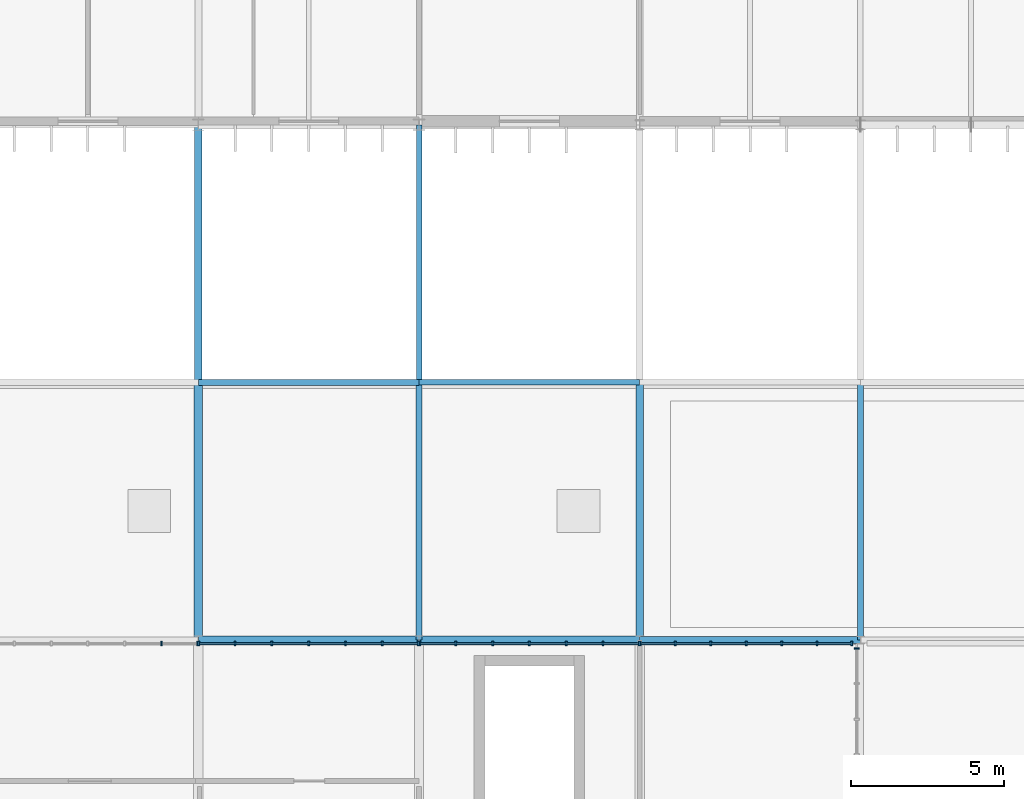
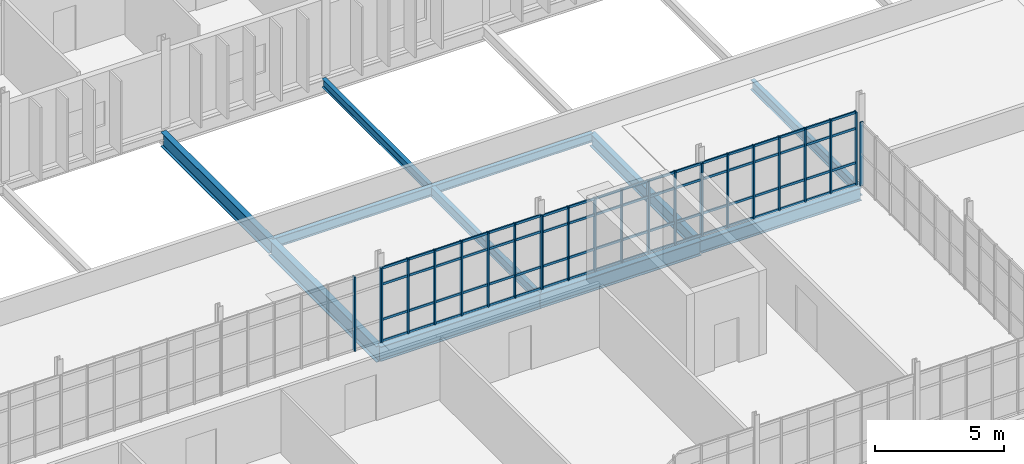
# One storey, part 60 of 119: 36 members, 11 beams, 5 elements without a shape of their own.
"""IFC4 building model written with IfcOpenShell, lengths in metres."""

from ifc_helpers import new_model, si_unit, direction, frame, origin, origin_2d, place, context, subcontext, project, spatial, rectangle, i_section, extrude, material, material_profile, profile_set, type_object, element, aggregate, save


model = new_model("IFC4")

# Units and contexts
model_context = context("Model", 3, precision=1e-05, world=origin(), true_north=direction((0.0, 1.0)))
body_context = subcontext(model_context, "Body", "Model", "MODEL_VIEW")
ifc_project = project(units=[si_unit("LENGTHUNIT", "METRE"), si_unit("AREAUNIT", "SQUARE_METRE"), si_unit("VOLUMEUNIT", "CUBIC_METRE"), si_unit("PLANEANGLEUNIT", "RADIAN"), si_unit("MASSUNIT", "GRAM", prefix="KILO")], contexts=[model_context])

# Site, building, storey
site_placement = place(None, origin())
site = spatial("IfcSite", under=ifc_project, at=site_placement, CompositionType="ELEMENT")
building_placement = place(site_placement, origin())
building = spatial("IfcBuilding", under=site, at=building_placement, Name="Qelthora Terrace Specialist Clinic", CompositionType="ELEMENT")
storey_placement = place(building_placement, frame((0.0, 0.0, 4.800048828125)))
storey = spatial("IfcBuildingStorey", under=building, at=storey_placement, Name="L01", CompositionType="ELEMENT", Elevation=4.800048828125)

# Beams
ifc_material_1 = material(Name="Steel S355", Category="steel")
ifc_material_profile_1 = material_profile(ifc_material_1, i_section(OverallWidth=0.179931640625, OverallDepth=0.4130859375, WebThickness=0.009765625, FlangeThickness=0.01611328125, FilletRadius=0.011962890625, at=origin_2d()), Name="W410X75")
ifc_profile_set_1 = profile_set([ifc_material_profile_1], Name="Steel S355")
beam_type_1 = type_object("IfcBeamType", Name="BM-W410X75", PredefinedType="BEAM", material=ifc_profile_set_1)
beam_1_placement = place(storey_placement, frame((136.800048828125, 25.199951171875, -0.45654296875), z_axis=(1.0, 0.0, 0.0), x_axis=(0.0, 1.0, 0.0)))
element("IfcBeam", 1, at=beam_1_placement, inside=storey, type_object=beam_type_1, Name="Girder BMX-L01-0191", PredefinedType="BEAM", context=body_context, shape_type="SweptSolid", body=[
    extrude(i_section(OverallWidth=0.179931640625, OverallDepth=0.4130859375, WebThickness=0.009765625, FlangeThickness=0.01611328125, FilletRadius=0.011962890625, at=origin_2d()), origin(), (0.0, 0.0, 1.0), 7.199951171875),
])
beam_2_placement = place(storey_placement, frame((136.800048828125, 25.199951171875, -0.45654296875), z_axis=(0.0, 1.0, 0.0), x_axis=(-1.0, 0.0, 0.0)))
element("IfcBeam", 2, at=beam_2_placement, inside=storey, type_object=beam_type_1, Name="Girder BMY-L01-0509", PredefinedType="BEAM", context=body_context, shape_type="SweptSolid", body=[
    extrude(i_section(OverallWidth=0.179931640625, OverallDepth=0.4130859375, WebThickness=0.009765625, FlangeThickness=0.01611328125, FilletRadius=0.011962890625, at=origin_2d()), origin(), (0.0, 0.0, 1.0), 8.400146484375),
])
ifc_material_profile_2 = material_profile(ifc_material_1, i_section(OverallWidth=0.19091796875, OverallDepth=0.4599609375, WebThickness=0.010009765625, FlangeThickness=0.01611328125, FilletRadius=0.012939453125, at=origin_2d()), Name="W460X82")
ifc_profile_set_2 = profile_set([ifc_material_profile_2], Name="Steel S355")
beam_type_2 = type_object("IfcBeamType", Name="BM-W460X82", PredefinedType="BEAM", material=ifc_profile_set_2)
beam_3_placement = place(storey_placement, frame((129.60009765625, 25.199951171875, -0.47998046875), z_axis=(1.0, 0.0, 0.0), x_axis=(0.0, 1.0, 0.0)))
element("IfcBeam", 3, at=beam_3_placement, inside=storey, type_object=beam_type_2, Name="Girder BMX-L01-0190", PredefinedType="BEAM", context=body_context, shape_type="SweptSolid", body=[
    extrude(i_section(OverallWidth=0.19091796875, OverallDepth=0.4599609375, WebThickness=0.010009765625, FlangeThickness=0.01611328125, FilletRadius=0.012939453125, at=origin_2d()), origin(), (0.0, 0.0, 1.0), 7.199951171875),
])
beam_4_placement = place(storey_placement, frame((136.800048828125, 16.800048828125, -0.47998046875), z_axis=(0.0, 1.0, 0.0), x_axis=(-1.0, 0.0, 0.0)))
element("IfcBeam", 4, at=beam_4_placement, inside=storey, type_object=beam_type_2, Name="Girder BMY-L01-0508", PredefinedType="BEAM", context=body_context, shape_type="SweptSolid", body=[
    extrude(i_section(OverallWidth=0.19091796875, OverallDepth=0.4599609375, WebThickness=0.010009765625, FlangeThickness=0.01611328125, FilletRadius=0.012939453125, at=origin_2d()), origin(), (0.0, 0.0, 1.0), 8.39990234375),
])
ifc_material_profile_3 = material_profile(ifc_material_1, i_section(OverallWidth=0.193115234375, OverallDepth=0.466064453125, WebThickness=0.011474609375, FlangeThickness=0.01904296875, FilletRadius=0.012939453125, at=origin_2d()), Name="W460X97")
ifc_profile_set_3 = profile_set([ifc_material_profile_3], Name="Steel S355")
beam_type_3 = type_object("IfcBeamType", Name="BM-W460X97", PredefinedType="BEAM", material=ifc_profile_set_3)
beam_5_placement = place(storey_placement, frame((151.199951171875, 16.800048828125, -0.483154296875), z_axis=(0.0, 1.0, 0.0), x_axis=(-1.0, 0.0, 0.0)))
element("IfcBeam", 5, at=beam_5_placement, inside=storey, type_object=beam_type_3, Name="Girder BMY-L01-0527", PredefinedType="BEAM", context=body_context, shape_type="SweptSolid", body=[
    extrude(i_section(OverallWidth=0.193115234375, OverallDepth=0.466064453125, WebThickness=0.011474609375, FlangeThickness=0.01904296875, FilletRadius=0.012939453125, at=origin_2d()), origin(), (0.0, 0.0, 1.0), 8.39990234375),
])
ifc_material_profile_4 = material_profile(ifc_material_1, i_section(OverallWidth=0.22998046875, OverallDepth=0.616943359375, WebThickness=0.01318359375, FlangeThickness=0.022216796875, FilletRadius=0.01611328125, at=origin_2d()), Name="W610X140")
ifc_profile_set_4 = profile_set([ifc_material_profile_4], Name="Steel S355")
beam_type_4 = type_object("IfcBeamType", Name="BM-W610X140", PredefinedType="BEAM", material=ifc_profile_set_4)
beam_6_placement = place(storey_placement, frame((144.0, 16.800048828125, -0.55859375), z_axis=(1.0, 0.0, 0.0), x_axis=(0.0, 1.0, 0.0)))
element("IfcBeam", 6, at=beam_6_placement, inside=storey, type_object=beam_type_4, Name="Girder BMX-L01-0171", PredefinedType="BEAM", context=body_context, shape_type="SweptSolid", body=[
    extrude(i_section(OverallWidth=0.22998046875, OverallDepth=0.616943359375, WebThickness=0.01318359375, FlangeThickness=0.022216796875, FilletRadius=0.01611328125, at=origin_2d()), origin(), (0.0, 0.0, 1.0), 7.199951171875),
])
beam_7_placement = place(storey_placement, frame((144.0, 16.800048828125, -0.55859375), z_axis=(0.0, 1.0, 0.0), x_axis=(-1.0, 0.0, 0.0)))
element("IfcBeam", 7, at=beam_7_placement, inside=storey, type_object=beam_type_4, Name="Girder BMY-L01-0514", PredefinedType="BEAM", context=body_context, shape_type="SweptSolid", body=[
    extrude(i_section(OverallWidth=0.22998046875, OverallDepth=0.616943359375, WebThickness=0.01318359375, FlangeThickness=0.022216796875, FilletRadius=0.01611328125, at=origin_2d()), origin(), (0.0, 0.0, 1.0), 8.39990234375),
])
ifc_material_profile_5 = material_profile(ifc_material_1, i_section(OverallWidth=0.25390625, OverallDepth=0.68798828125, WebThickness=0.01318359375, FlangeThickness=0.02099609375, FilletRadius=0.01806640625, at=origin_2d()), Name="W690X152")
ifc_profile_set_5 = profile_set([ifc_material_profile_5], Name="Steel S355")
beam_type_5 = type_object("IfcBeamType", Name="BM-W690X152", PredefinedType="BEAM", material=ifc_profile_set_5)
beam_8_placement = place(storey_placement, frame((136.800048828125, 16.800048828125, -0.593994140625), z_axis=(1.0, 0.0, 0.0), x_axis=(0.0, 1.0, 0.0)))
element("IfcBeam", 8, at=beam_8_placement, inside=storey, type_object=beam_type_5, Name="Girder BMX-L01-0170", PredefinedType="BEAM", context=body_context, shape_type="SweptSolid", body=[
    extrude(i_section(OverallWidth=0.25390625, OverallDepth=0.68798828125, WebThickness=0.01318359375, FlangeThickness=0.02099609375, FilletRadius=0.01806640625, at=origin_2d()), origin(), (0.0, 0.0, 1.0), 7.199951171875),
])
ifc_material_profile_6 = material_profile(ifc_material_1, i_section(OverallWidth=0.256103515625, OverallDepth=0.693115234375, WebThickness=0.014404296875, FlangeThickness=0.023681640625, FilletRadius=0.01806640625, at=origin_2d()), Name="W690X170")
ifc_profile_set_6 = profile_set([ifc_material_profile_6], Name="Steel S355")
beam_type_6 = type_object("IfcBeamType", Name="BM-W690X170", PredefinedType="BEAM", material=ifc_profile_set_6)
beam_9_placement = place(storey_placement, frame((129.60009765625, 16.800048828125, -0.596435546875), z_axis=(1.0, 0.0, 0.0), x_axis=(0.0, 1.0, 0.0)))
element("IfcBeam", 9, at=beam_9_placement, inside=storey, type_object=beam_type_6, Name="Girder BMX-L01-0169", PredefinedType="BEAM", context=body_context, shape_type="SweptSolid", body=[
    extrude(i_section(OverallWidth=0.256103515625, OverallDepth=0.693115234375, WebThickness=0.014404296875, FlangeThickness=0.023681640625, FilletRadius=0.01806640625, at=origin_2d()), origin(), (0.0, 0.0, 1.0), 7.199951171875),
])
beam_10_placement = place(storey_placement, frame((129.60009765625, 25.199951171875, -0.596435546875), z_axis=(0.0, 1.0, 0.0), x_axis=(-1.0, 0.0, 0.0)))
element("IfcBeam", 10, at=beam_10_placement, inside=storey, type_object=beam_type_6, Name="Girder BMY-L01-0503", PredefinedType="BEAM", context=body_context, shape_type="SweptSolid", body=[
    extrude(i_section(OverallWidth=0.256103515625, OverallDepth=0.693115234375, WebThickness=0.014404296875, FlangeThickness=0.023681640625, FilletRadius=0.01806640625, at=origin_2d()), origin(), (0.0, 0.0, 1.0), 8.400146484375),
])
ifc_material_profile_7 = material_profile(ifc_material_1, i_section(OverallWidth=0.26806640625, OverallDepth=0.77001953125, WebThickness=0.015625, FlangeThickness=0.025390625, FilletRadius=0.01904296875, at=origin_2d()), Name="W760X196")
ifc_profile_set_7 = profile_set([ifc_material_profile_7], Name="Steel S355")
beam_type_7 = type_object("IfcBeamType", Name="BM-W760X196", PredefinedType="BEAM", material=ifc_profile_set_7)
beam_11_placement = place(storey_placement, frame((129.60009765625, 16.800048828125, -0.635009765625), z_axis=(0.0, 1.0, 0.0), x_axis=(-1.0, 0.0, 0.0)))
element("IfcBeam", 11, at=beam_11_placement, inside=storey, type_object=beam_type_7, Name="Girder BMY-L01-0502", PredefinedType="BEAM", context=body_context, shape_type="SweptSolid", body=[
    extrude(i_section(OverallWidth=0.26806640625, OverallDepth=0.77001953125, WebThickness=0.015625, FlangeThickness=0.025390625, FilletRadius=0.01904296875, at=origin_2d()), origin(), (0.0, 0.0, 1.0), 8.39990234375),
])

# Curtain wall, members
ifc_material_2 = material(Name="Aluminium anodized bronze", Category="aluminium")
curtain_wall_type = type_object("IfcCurtainWallType", Name="CW-CONS-UP", PredefinedType="NOTDEFINED", material=ifc_material_2)
curtain_wall_1_placement = place(storey_placement, origin())
curtain_wall_1 = element("IfcCurtainWall", 12, at=curtain_wall_1_placement, inside=storey, type_object=curtain_wall_type, Name="Curtain wall CW-L01-242", PredefinedType="NOTDEFINED")
ifc_material_profile_8 = material_profile(ifc_material_2, rectangle(XDim=0.06005859375, YDim=0.14990234375, at=origin_2d()), Name="CWM60X150")
ifc_profile_set_8 = profile_set([ifc_material_profile_8], Name="Aluminium anodized bronze")
member_type_1 = type_object("IfcMemberType", Name="CWM-60X150", PredefinedType="MULLION", material=ifc_profile_set_8)
member_1_placement = place(storey_placement, frame((128.39990234375, 16.679931640625, 0.0), z_axis=(0.0, 0.0, 1.0), x_axis=(1.0, 0.0, 0.0)))
member_1 = element("IfcMember", 13, at=member_1_placement, type_object=member_type_1, Name="CW-L01-242 mullion 6", PredefinedType="MULLION", context=body_context, shape_type="SweptSolid", body=[
    extrude(rectangle(XDim=0.06005859375, YDim=0.14990234375, at=origin_2d()), origin(), (0.0, 0.0, 1.0), 3.529052734375),
])
member_2_placement = place(storey_placement, frame((129.580078125, 16.679931640625, 0.0), z_axis=(0.0, 0.0, 1.0), x_axis=(1.0, 0.0, 0.0)))
member_2 = element("IfcMember", 14, at=member_2_placement, type_object=member_type_1, Name="CW-L01-242 mullion 7", PredefinedType="MULLION", context=body_context, shape_type="SweptSolid", body=[
    extrude(rectangle(XDim=0.06005859375, YDim=0.14990234375, at=origin_2d()), origin(), (0.0, 0.0, 1.0), 3.529052734375),
])
aggregate(curtain_wall_1, [member_1, member_2])

curtain_wall_2_placement = place(storey_placement, origin())
curtain_wall_2 = element("IfcCurtainWall", 15, at=curtain_wall_2_placement, inside=storey, type_object=curtain_wall_type, Name="Curtain wall CW-L01-243", PredefinedType="NOTDEFINED")
member_3_placement = place(storey_placement, frame((129.6201171875, 16.679931640625, 0.0), z_axis=(0.0, 0.0, 1.0), x_axis=(1.0, 0.0, 0.0)))
member_3 = element("IfcMember", 16, at=member_3_placement, type_object=member_type_1, Name="CW-L01-243 mullion 1", PredefinedType="MULLION", context=body_context, shape_type="SweptSolid", body=[
    extrude(rectangle(XDim=0.06005859375, YDim=0.14990234375, at=origin_2d()), origin(), (0.0, 0.0, 1.0), 3.529052734375),
])
member_4_placement = place(storey_placement, frame((130.800048828125, 16.679931640625, 0.0), z_axis=(0.0, 0.0, 1.0), x_axis=(1.0, 0.0, 0.0)))
member_4 = element("IfcMember", 17, at=member_4_placement, type_object=member_type_1, Name="CW-L01-243 mullion 2", PredefinedType="MULLION", context=body_context, shape_type="SweptSolid", body=[
    extrude(rectangle(XDim=0.06005859375, YDim=0.14990234375, at=origin_2d()), origin(), (0.0, 0.0, 1.0), 3.529052734375),
])
member_5_placement = place(storey_placement, frame((132.0, 16.679931640625, 0.0), z_axis=(0.0, 0.0, 1.0), x_axis=(1.0, 0.0, 0.0)))
member_5 = element("IfcMember", 18, at=member_5_placement, type_object=member_type_1, Name="CW-L01-243 mullion 3", PredefinedType="MULLION", context=body_context, shape_type="SweptSolid", body=[
    extrude(rectangle(XDim=0.06005859375, YDim=0.14990234375, at=origin_2d()), origin(), (0.0, 0.0, 1.0), 3.529052734375),
])
member_6_placement = place(storey_placement, frame((133.199951171875, 16.679931640625, 0.0), z_axis=(0.0, 0.0, 1.0), x_axis=(1.0, 0.0, 0.0)))
member_6 = element("IfcMember", 19, at=member_6_placement, type_object=member_type_1, Name="CW-L01-243 mullion 4", PredefinedType="MULLION", context=body_context, shape_type="SweptSolid", body=[
    extrude(rectangle(XDim=0.06005859375, YDim=0.14990234375, at=origin_2d()), origin(), (0.0, 0.0, 1.0), 3.529052734375),
])
member_7_placement = place(storey_placement, frame((134.39990234375, 16.679931640625, 0.0), z_axis=(0.0, 0.0, 1.0), x_axis=(1.0, 0.0, 0.0)))
member_7 = element("IfcMember", 20, at=member_7_placement, type_object=member_type_1, Name="CW-L01-243 mullion 5", PredefinedType="MULLION", context=body_context, shape_type="SweptSolid", body=[
    extrude(rectangle(XDim=0.06005859375, YDim=0.14990234375, at=origin_2d()), origin(), (0.0, 0.0, 1.0), 3.529052734375),
])
member_8_placement = place(storey_placement, frame((135.60009765625, 16.679931640625, 0.0), z_axis=(0.0, 0.0, 1.0), x_axis=(1.0, 0.0, 0.0)))
member_8 = element("IfcMember", 21, at=member_8_placement, type_object=member_type_1, Name="CW-L01-243 mullion 6", PredefinedType="MULLION", context=body_context, shape_type="SweptSolid", body=[
    extrude(rectangle(XDim=0.06005859375, YDim=0.14990234375, at=origin_2d()), origin(), (0.0, 0.0, 1.0), 3.529052734375),
])
member_9_placement = place(storey_placement, frame((136.780029296875, 16.679931640625, 0.0), z_axis=(0.0, 0.0, 1.0), x_axis=(1.0, 0.0, 0.0)))
member_9 = element("IfcMember", 22, at=member_9_placement, type_object=member_type_1, Name="CW-L01-243 mullion 7", PredefinedType="MULLION", context=body_context, shape_type="SweptSolid", body=[
    extrude(rectangle(XDim=0.06005859375, YDim=0.14990234375, at=origin_2d()), origin(), (0.0, 0.0, 1.0), 3.529052734375),
])

curtain_wall_3_placement = place(storey_placement, origin())
curtain_wall_3 = element("IfcCurtainWall", 23, at=curtain_wall_3_placement, inside=storey, type_object=curtain_wall_type, Name="Curtain wall CW-L01-244", PredefinedType="NOTDEFINED")
member_10_placement = place(storey_placement, frame((136.820068359375, 16.679931640625, 0.0), z_axis=(0.0, 0.0, 1.0), x_axis=(1.0, 0.0, 0.0)))
member_10 = element("IfcMember", 24, at=member_10_placement, type_object=member_type_1, Name="CW-L01-244 mullion 1", PredefinedType="MULLION", context=body_context, shape_type="SweptSolid", body=[
    extrude(rectangle(XDim=0.06005859375, YDim=0.14990234375, at=origin_2d()), origin(), (0.0, 0.0, 1.0), 3.48193359375),
])
member_11_placement = place(storey_placement, frame((138.0, 16.679931640625, 0.0), z_axis=(0.0, 0.0, 1.0), x_axis=(1.0, 0.0, 0.0)))
member_11 = element("IfcMember", 25, at=member_11_placement, type_object=member_type_1, Name="CW-L01-244 mullion 2", PredefinedType="MULLION", context=body_context, shape_type="SweptSolid", body=[
    extrude(rectangle(XDim=0.06005859375, YDim=0.14990234375, at=origin_2d()), origin(), (0.0, 0.0, 1.0), 3.48193359375),
])
member_12_placement = place(storey_placement, frame((139.199951171875, 16.679931640625, 0.0), z_axis=(0.0, 0.0, 1.0), x_axis=(1.0, 0.0, 0.0)))
member_12 = element("IfcMember", 26, at=member_12_placement, type_object=member_type_1, Name="CW-L01-244 mullion 3", PredefinedType="MULLION", context=body_context, shape_type="SweptSolid", body=[
    extrude(rectangle(XDim=0.06005859375, YDim=0.14990234375, at=origin_2d()), origin(), (0.0, 0.0, 1.0), 3.48193359375),
])
member_13_placement = place(storey_placement, frame((140.39990234375, 16.679931640625, 0.0), z_axis=(0.0, 0.0, 1.0), x_axis=(1.0, 0.0, 0.0)))
member_13 = element("IfcMember", 27, at=member_13_placement, type_object=member_type_1, Name="CW-L01-244 mullion 4", PredefinedType="MULLION", context=body_context, shape_type="SweptSolid", body=[
    extrude(rectangle(XDim=0.06005859375, YDim=0.14990234375, at=origin_2d()), origin(), (0.0, 0.0, 1.0), 3.48193359375),
])
member_14_placement = place(storey_placement, frame((141.60009765625, 16.679931640625, 0.0), z_axis=(0.0, 0.0, 1.0), x_axis=(1.0, 0.0, 0.0)))
member_14 = element("IfcMember", 28, at=member_14_placement, type_object=member_type_1, Name="CW-L01-244 mullion 5", PredefinedType="MULLION", context=body_context, shape_type="SweptSolid", body=[
    extrude(rectangle(XDim=0.06005859375, YDim=0.14990234375, at=origin_2d()), origin(), (0.0, 0.0, 1.0), 3.48193359375),
])
member_15_placement = place(storey_placement, frame((142.800048828125, 16.679931640625, 0.0), z_axis=(0.0, 0.0, 1.0), x_axis=(1.0, 0.0, 0.0)))
member_15 = element("IfcMember", 29, at=member_15_placement, type_object=member_type_1, Name="CW-L01-244 mullion 6", PredefinedType="MULLION", context=body_context, shape_type="SweptSolid", body=[
    extrude(rectangle(XDim=0.06005859375, YDim=0.14990234375, at=origin_2d()), origin(), (0.0, 0.0, 1.0), 3.48193359375),
])
member_16_placement = place(storey_placement, frame((143.97998046875, 16.679931640625, 0.0), z_axis=(0.0, 0.0, 1.0), x_axis=(1.0, 0.0, 0.0)))
member_16 = element("IfcMember", 30, at=member_16_placement, type_object=member_type_1, Name="CW-L01-244 mullion 7", PredefinedType="MULLION", context=body_context, shape_type="SweptSolid", body=[
    extrude(rectangle(XDim=0.06005859375, YDim=0.14990234375, at=origin_2d()), origin(), (0.0, 0.0, 1.0), 3.48193359375),
])

curtain_wall_4_placement = place(storey_placement, origin())
curtain_wall_4 = element("IfcCurtainWall", 31, at=curtain_wall_4_placement, inside=storey, type_object=curtain_wall_type, Name="Curtain wall CW-L01-245", PredefinedType="NOTDEFINED")
member_17_placement = place(storey_placement, frame((144.02001953125, 16.679931640625, 0.0), z_axis=(0.0, 0.0, 1.0), x_axis=(1.0, 0.0, 0.0)))
member_17 = element("IfcMember", 32, at=member_17_placement, type_object=member_type_1, Name="CW-L01-245 mullion 1", PredefinedType="MULLION", context=body_context, shape_type="SweptSolid", body=[
    extrude(rectangle(XDim=0.06005859375, YDim=0.14990234375, at=origin_2d()), origin(), (0.0, 0.0, 1.0), 3.48193359375),
])
member_18_placement = place(storey_placement, frame((145.15673828125, 16.679931640625, 0.0), z_axis=(0.0, 0.0, 1.0), x_axis=(1.0, 0.0, 0.0)))
member_18 = element("IfcMember", 33, at=member_18_placement, type_object=member_type_1, Name="CW-L01-245 mullion 2", PredefinedType="MULLION", context=body_context, shape_type="SweptSolid", body=[
    extrude(rectangle(XDim=0.06005859375, YDim=0.14990234375, at=origin_2d()), origin(), (0.0, 0.0, 1.0), 3.48193359375),
])
member_19_placement = place(storey_placement, frame((146.313232421875, 16.679931640625, 0.0), z_axis=(0.0, 0.0, 1.0), x_axis=(1.0, 0.0, 0.0)))
member_19 = element("IfcMember", 34, at=member_19_placement, type_object=member_type_1, Name="CW-L01-245 mullion 3", PredefinedType="MULLION", context=body_context, shape_type="SweptSolid", body=[
    extrude(rectangle(XDim=0.06005859375, YDim=0.14990234375, at=origin_2d()), origin(), (0.0, 0.0, 1.0), 3.48193359375),
])
member_20_placement = place(storey_placement, frame((147.469970703125, 16.679931640625, 0.0), z_axis=(0.0, 0.0, 1.0), x_axis=(1.0, 0.0, 0.0)))
member_20 = element("IfcMember", 35, at=member_20_placement, type_object=member_type_1, Name="CW-L01-245 mullion 4", PredefinedType="MULLION", context=body_context, shape_type="SweptSolid", body=[
    extrude(rectangle(XDim=0.06005859375, YDim=0.14990234375, at=origin_2d()), origin(), (0.0, 0.0, 1.0), 3.48193359375),
])
member_21_placement = place(storey_placement, frame((148.626708984375, 16.679931640625, 0.0), z_axis=(0.0, 0.0, 1.0), x_axis=(1.0, 0.0, 0.0)))
member_21 = element("IfcMember", 36, at=member_21_placement, type_object=member_type_1, Name="CW-L01-245 mullion 5", PredefinedType="MULLION", context=body_context, shape_type="SweptSolid", body=[
    extrude(rectangle(XDim=0.06005859375, YDim=0.14990234375, at=origin_2d()), origin(), (0.0, 0.0, 1.0), 3.48193359375),
])
member_22_placement = place(storey_placement, frame((149.783447265625, 16.679931640625, 0.0), z_axis=(0.0, 0.0, 1.0), x_axis=(1.0, 0.0, 0.0)))
member_22 = element("IfcMember", 37, at=member_22_placement, type_object=member_type_1, Name="CW-L01-245 mullion 6", PredefinedType="MULLION", context=body_context, shape_type="SweptSolid", body=[
    extrude(rectangle(XDim=0.06005859375, YDim=0.14990234375, at=origin_2d()), origin(), (0.0, 0.0, 1.0), 3.48193359375),
])
member_23_placement = place(storey_placement, frame((150.919921875, 16.679931640625, 0.0), z_axis=(0.0, 0.0, 1.0), x_axis=(1.0, 0.0, 0.0)))
member_23 = element("IfcMember", 38, at=member_23_placement, type_object=member_type_1, Name="CW-L01-245 mullion 7", PredefinedType="MULLION", context=body_context, shape_type="SweptSolid", body=[
    extrude(rectangle(XDim=0.06005859375, YDim=0.14990234375, at=origin_2d()), origin(), (0.0, 0.0, 1.0), 3.48193359375),
])

# Curtain wall, member
curtain_wall_5_placement = place(storey_placement, origin())
curtain_wall_5 = element("IfcCurtainWall", 39, at=curtain_wall_5_placement, inside=storey, type_object=curtain_wall_type, Name="Curtain wall CW-L01-247", PredefinedType="NOTDEFINED")
member_24_placement = place(storey_placement, frame((151.080078125, 16.52001953125, 0.0), z_axis=(0.0, 0.0, 1.0), x_axis=(0.0, 1.0, 0.0)))
member_24 = element("IfcMember", 40, at=member_24_placement, type_object=member_type_1, Name="CW-L01-247 mullion 8", PredefinedType="MULLION", context=body_context, shape_type="SweptSolid", body=[
    extrude(rectangle(XDim=0.06005859375, YDim=0.14990234375, at=origin_2d()), origin(), (0.0, 0.0, 1.0), 3.014892578125),
])
aggregate(curtain_wall_5, [member_24])

# Member
ifc_material_profile_9 = material_profile(ifc_material_2, rectangle(XDim=0.06005859375, YDim=0.110107421875, at=origin_2d()), Name="CWT60X110")
ifc_profile_set_9 = profile_set([ifc_material_profile_9], Name="Aluminium anodized bronze")
member_type_2 = type_object("IfcMemberType", Name="CWT-60X110", PredefinedType="USERDEFINED", material=ifc_profile_set_9)
member_25_placement = place(storey_placement, frame((129.639892578125, 16.679931640625, 0.0400390625), z_axis=(1.0, 0.0, 0.0), x_axis=(0.0, 1.0, 0.0)))
member_25 = element("IfcMember", 41, at=member_25_placement, type_object=member_type_2, Name="CW-L01-243 transom 1", ObjectType="TRANSOM", PredefinedType="USERDEFINED", context=body_context, shape_type="SweptSolid", body=[
    extrude(rectangle(XDim=0.06005859375, YDim=0.110107421875, at=origin_2d()), origin(), (0.0, 0.0, 1.0), 7.1201171875),
])

member_26_placement = place(storey_placement, frame((129.639892578125, 16.679931640625, 1.050048828125), z_axis=(1.0, 0.0, 0.0), x_axis=(0.0, 1.0, 0.0)))
member_26 = element("IfcMember", 42, at=member_26_placement, type_object=member_type_2, Name="CW-L01-243 transom 2", ObjectType="TRANSOM", PredefinedType="USERDEFINED", context=body_context, shape_type="SweptSolid", body=[
    extrude(rectangle(XDim=0.06005859375, YDim=0.110107421875, at=origin_2d()), origin(), (0.0, 0.0, 1.0), 7.1201171875),
])

member_27_placement = place(storey_placement, frame((129.639892578125, 16.679931640625, 2.72900390625), z_axis=(1.0, 0.0, 0.0), x_axis=(0.0, 1.0, 0.0)))
member_27 = element("IfcMember", 43, at=member_27_placement, type_object=member_type_2, Name="CW-L01-243 transom 3", ObjectType="TRANSOM", PredefinedType="USERDEFINED", context=body_context, shape_type="SweptSolid", body=[
    extrude(rectangle(XDim=0.06005859375, YDim=0.110107421875, at=origin_2d()), origin(), (0.0, 0.0, 1.0), 7.1201171875),
])

member_28_placement = place(storey_placement, frame((129.639892578125, 16.679931640625, 3.489013671875), z_axis=(1.0, 0.0, 0.0), x_axis=(0.0, 1.0, 0.0)))
member_28 = element("IfcMember", 44, at=member_28_placement, type_object=member_type_2, Name="CW-L01-243 transom 4", ObjectType="TRANSOM", PredefinedType="USERDEFINED", context=body_context, shape_type="SweptSolid", body=[
    extrude(rectangle(XDim=0.06005859375, YDim=0.110107421875, at=origin_2d()), origin(), (0.0, 0.0, 1.0), 7.1201171875),
])

aggregate(curtain_wall_2, [member_3, member_4, member_5, member_6, member_7, member_8, member_9, member_25, member_26, member_27, member_28])

member_29_placement = place(storey_placement, frame((136.840087890625, 16.679931640625, 0.0400390625), z_axis=(1.0, 0.0, 0.0), x_axis=(0.0, 1.0, 0.0)))
member_29 = element("IfcMember", 45, at=member_29_placement, type_object=member_type_2, Name="CW-L01-244 transom 1", ObjectType="TRANSOM", PredefinedType="USERDEFINED", context=body_context, shape_type="SweptSolid", body=[
    extrude(rectangle(XDim=0.06005859375, YDim=0.110107421875, at=origin_2d()), origin(), (0.0, 0.0, 1.0), 7.119873046875),
])

member_30_placement = place(storey_placement, frame((136.840087890625, 16.679931640625, 1.050048828125), z_axis=(1.0, 0.0, 0.0), x_axis=(0.0, 1.0, 0.0)))
member_30 = element("IfcMember", 46, at=member_30_placement, type_object=member_type_2, Name="CW-L01-244 transom 2", ObjectType="TRANSOM", PredefinedType="USERDEFINED", context=body_context, shape_type="SweptSolid", body=[
    extrude(rectangle(XDim=0.06005859375, YDim=0.110107421875, at=origin_2d()), origin(), (0.0, 0.0, 1.0), 7.119873046875),
])

member_31_placement = place(storey_placement, frame((136.840087890625, 16.679931640625, 2.681884765625), z_axis=(1.0, 0.0, 0.0), x_axis=(0.0, 1.0, 0.0)))
member_31 = element("IfcMember", 47, at=member_31_placement, type_object=member_type_2, Name="CW-L01-244 transom 3", ObjectType="TRANSOM", PredefinedType="USERDEFINED", context=body_context, shape_type="SweptSolid", body=[
    extrude(rectangle(XDim=0.06005859375, YDim=0.110107421875, at=origin_2d()), origin(), (0.0, 0.0, 1.0), 7.119873046875),
])

member_32_placement = place(storey_placement, frame((136.840087890625, 16.679931640625, 3.44189453125), z_axis=(1.0, 0.0, 0.0), x_axis=(0.0, 1.0, 0.0)))
member_32 = element("IfcMember", 48, at=member_32_placement, type_object=member_type_2, Name="CW-L01-244 transom 4", ObjectType="TRANSOM", PredefinedType="USERDEFINED", context=body_context, shape_type="SweptSolid", body=[
    extrude(rectangle(XDim=0.06005859375, YDim=0.110107421875, at=origin_2d()), origin(), (0.0, 0.0, 1.0), 7.119873046875),
])

aggregate(curtain_wall_3, [member_10, member_11, member_12, member_13, member_14, member_15, member_16, member_29, member_30, member_31, member_32])

member_33_placement = place(storey_placement, frame((144.0400390625, 16.679931640625, 0.0400390625), z_axis=(1.0, 0.0, 0.0), x_axis=(0.0, 1.0, 0.0)))
member_33 = element("IfcMember", 49, at=member_33_placement, type_object=member_type_2, Name="CW-L01-245 transom 1", ObjectType="TRANSOM", PredefinedType="USERDEFINED", context=body_context, shape_type="SweptSolid", body=[
    extrude(rectangle(XDim=0.06005859375, YDim=0.110107421875, at=origin_2d()), origin(), (0.0, 0.0, 1.0), 6.85986328125),
])

member_34_placement = place(storey_placement, frame((144.0400390625, 16.679931640625, 1.050048828125), z_axis=(1.0, 0.0, 0.0), x_axis=(0.0, 1.0, 0.0)))
member_34 = element("IfcMember", 50, at=member_34_placement, type_object=member_type_2, Name="CW-L01-245 transom 2", ObjectType="TRANSOM", PredefinedType="USERDEFINED", context=body_context, shape_type="SweptSolid", body=[
    extrude(rectangle(XDim=0.06005859375, YDim=0.110107421875, at=origin_2d()), origin(), (0.0, 0.0, 1.0), 6.85986328125),
])

member_35_placement = place(storey_placement, frame((144.0400390625, 16.679931640625, 2.681884765625), z_axis=(1.0, 0.0, 0.0), x_axis=(0.0, 1.0, 0.0)))
member_35 = element("IfcMember", 51, at=member_35_placement, type_object=member_type_2, Name="CW-L01-245 transom 3", ObjectType="TRANSOM", PredefinedType="USERDEFINED", context=body_context, shape_type="SweptSolid", body=[
    extrude(rectangle(XDim=0.06005859375, YDim=0.110107421875, at=origin_2d()), origin(), (0.0, 0.0, 1.0), 6.85986328125),
])

member_36_placement = place(storey_placement, frame((144.0400390625, 16.679931640625, 3.44189453125), z_axis=(1.0, 0.0, 0.0), x_axis=(0.0, 1.0, 0.0)))
member_36 = element("IfcMember", 52, at=member_36_placement, type_object=member_type_2, Name="CW-L01-245 transom 4", ObjectType="TRANSOM", PredefinedType="USERDEFINED", context=body_context, shape_type="SweptSolid", body=[
    extrude(rectangle(XDim=0.06005859375, YDim=0.110107421875, at=origin_2d()), origin(), (0.0, 0.0, 1.0), 6.85986328125),
])

aggregate(curtain_wall_4, [member_17, member_18, member_19, member_20, member_21, member_22, member_23, member_33, member_34, member_35, member_36])

save(model, "model.ifc")
